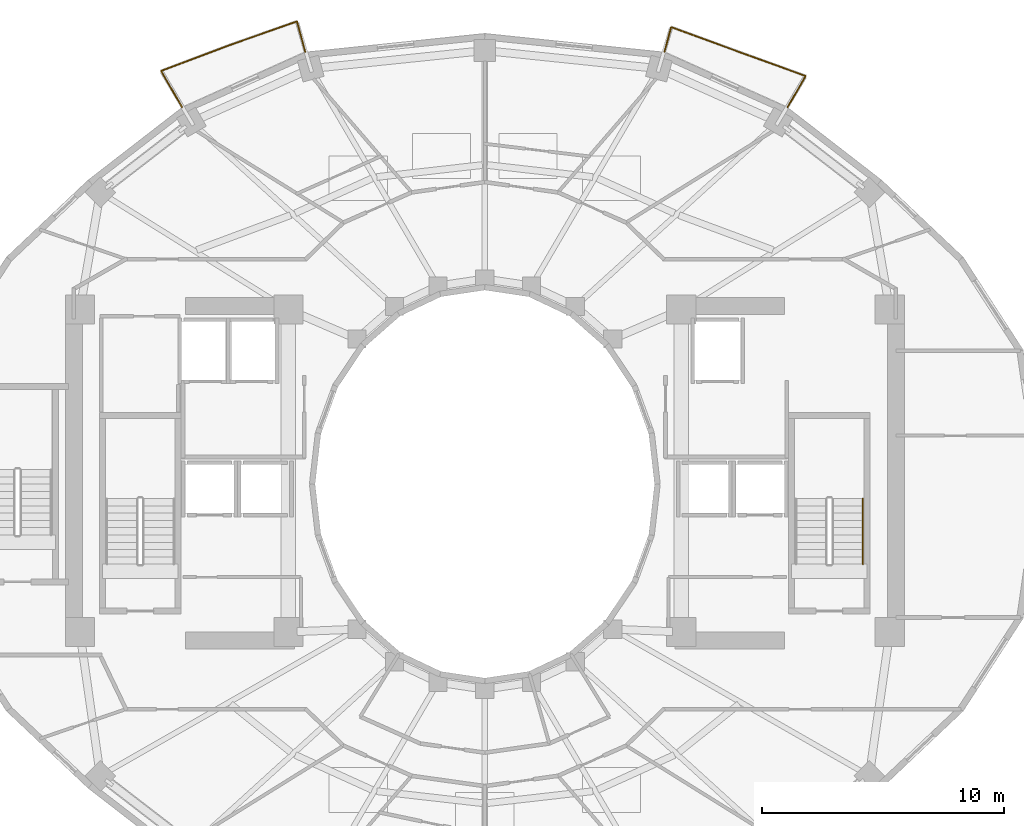
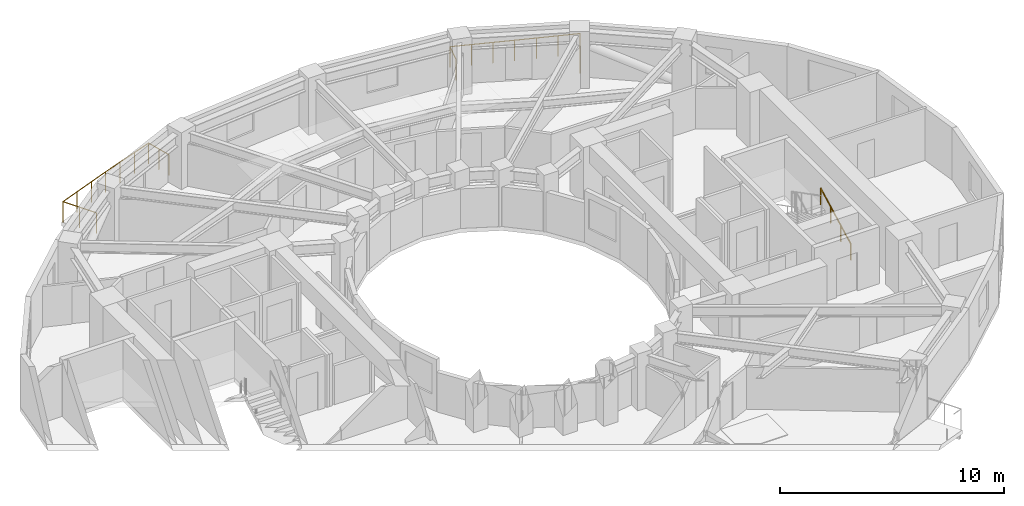
# One storey, part 10 of 10: 3 railings.
"""IFC4 building model written with IfcOpenShell, lengths in metres."""

from ifc_helpers import new_model, si_unit, direction, frame, origin, origin_2d, place, context, subcontext, project, spatial, circle, extrude, material, type_object, element, save


model = new_model("IFC4")

# Units and contexts
model_context = context("Model", 3, precision=1e-05, world=origin(), true_north=direction((0.0, 1.0)))
body_context = subcontext(model_context, "Body", "Model", "MODEL_VIEW")
ifc_project = project(units=[si_unit("LENGTHUNIT", "METRE"), si_unit("AREAUNIT", "SQUARE_METRE"), si_unit("VOLUMEUNIT", "CUBIC_METRE"), si_unit("PLANEANGLEUNIT", "RADIAN"), si_unit("MASSUNIT", "GRAM", prefix="KILO")], contexts=[model_context])

# Site, building, storey
site_placement = place(None, origin())
site = spatial("IfcSite", under=ifc_project, at=site_placement, CompositionType="ELEMENT")
building_placement = place(site_placement, origin())
building = spatial("IfcBuilding", under=site, at=building_placement, Name="Solvane Sanctuary Tower", CompositionType="ELEMENT")
storey_placement = place(building_placement, frame((0.0, 0.0, 146.699951171875)))
storey = spatial("IfcBuildingStorey", under=building, at=storey_placement, Name="L44", CompositionType="ELEMENT", Elevation=146.699951171875)

# Railings
ifc_material = material(Name="Architectural Stainless Steel 316", Category="steel")
railing_type_1 = type_object("IfcRailingType", Name="Railing GR-BALC-1150", PredefinedType="BALUSTRADE", material=ifc_material)
railing_1_placement = place(storey_placement, frame((44.489013671875, 38.5458984375, 0.0)))
element("IfcRailing", 1, at=railing_1_placement, inside=storey, type_object=railing_type_1, Name="L44 Wave Balcony Balustrade N1", PredefinedType="BALUSTRADE", context=body_context, shape_type="SweptSolid", body=[
    extrude(circle(Radius=0.02392578125, at=origin_2d()), frame((0.0, 0.0, 1.1259765625), z_axis=(0.500050045296, 0.865996508191, 0.0), x_axis=(-0.865996508191, 0.500050045296, 0.0)), (0.0, 0.0, 1.0), 1.483642578125),
    extrude(circle(Radius=0.02392578125, at=origin_2d()), frame((0.741943359375, 1.284912109375, 1.1259765625), z_axis=(-0.940480447831, 0.339847800122, 0.0), x_axis=(-0.339847800122, -0.940480447831, 0.0)), (0.0, 0.0, 1.0), 2.979736328125),
    extrude(circle(Radius=0.02392578125, at=origin_2d()), frame((-2.060546875, 2.297607421875, 1.1259765625), z_axis=(-0.938941980795, 0.344075510173, 0.0), x_axis=(-0.344075510173, -0.938941980795, 0.0)), (0.0, 0.0, 1.0), 2.92333984375),
    extrude(circle(Radius=0.02392578125, at=origin_2d()), frame((-4.805419921875, 3.303466796875, 1.1259765625), z_axis=(-0.258770762506, -0.965938762278, 0.0), x_axis=(0.965938762278, -0.258770762506, 0.0)), (0.0, 0.0, 1.0), 1.0556640625),
    extrude(circle(Radius=0.02099609375, at=origin_2d()), origin(), (0.0, 0.0, 1.0), 1.101806640625),
    extrude(circle(Radius=0.02099609375, at=origin_2d()), frame((0.37109375, 0.642578125, 0.0)), (0.0, 0.0, 1.0), 1.101806640625),
    extrude(circle(Radius=0.02099609375, at=origin_2d()), frame((0.741943359375, 1.284912109375, 0.0)), (0.0, 0.0, 1.0), 1.101806640625),
    extrude(circle(Radius=0.02099609375, at=origin_2d()), frame((-0.192138671875, 1.62255859375, 0.0)), (0.0, 0.0, 1.0), 1.101806640625),
    extrude(circle(Radius=0.02099609375, at=origin_2d()), frame((-1.12646484375, 1.9599609375, 0.0)), (0.0, 0.0, 1.0), 1.101806640625),
    extrude(circle(Radius=0.02099609375, at=origin_2d()), frame((-2.060546875, 2.297607421875, 0.0)), (0.0, 0.0, 1.0), 1.101806640625),
    extrude(circle(Radius=0.02099609375, at=origin_2d()), frame((-2.9755859375, 2.6328125, 0.0)), (0.0, 0.0, 1.0), 1.101806640625),
    extrude(circle(Radius=0.02099609375, at=origin_2d()), frame((-3.890380859375, 2.96826171875, 0.0)), (0.0, 0.0, 1.0), 1.101806640625),
    extrude(circle(Radius=0.02099609375, at=origin_2d()), frame((-4.805419921875, 3.303466796875, 0.0)), (0.0, 0.0, 1.0), 1.101806640625),
    extrude(circle(Radius=0.02099609375, at=origin_2d()), frame((-5.07861328125, 2.28369140625, 0.0)), (0.0, 0.0, 1.0), 1.101806640625),
])
railing_2_placement = place(storey_placement, frame((24.589599609375, 40.82958984375, 0.0)))
element("IfcRailing", 2, at=railing_2_placement, inside=storey, type_object=railing_type_1, Name="L44 Wave Balcony Balustrade N2", PredefinedType="BALUSTRADE", context=body_context, shape_type="SweptSolid", body=[
    extrude(circle(Radius=0.02392578125, at=origin_2d()), frame((0.0, 0.0, 1.1259765625), z_axis=(-0.258764326089, 0.965940486543, 0.0), x_axis=(-0.965940486543, -0.258764326089, 0.0)), (0.0, 0.0, 1.0), 1.29638671875),
    extrude(circle(Radius=0.02392578125, at=origin_2d()), frame((-0.33544921875, 1.252197265625, 1.1259765625), z_axis=(-0.943326752862, -0.331865390384, 0.0), x_axis=(0.331865390384, -0.943326752862, 0.0)), (0.0, 0.0, 1.0), 2.95654296875),
    extrude(circle(Radius=0.02392578125, at=origin_2d()), frame((-3.12451171875, 0.27099609375, 1.1259765625), z_axis=(-0.935767944552, -0.352616440271, 0.0), x_axis=(0.352616440271, -0.935767944552, 0.0)), (0.0, 0.0, 1.0), 3.009765625),
    extrude(circle(Radius=0.02392578125, at=origin_2d()), frame((-5.94091796875, -0.790283203125, 1.1259765625), z_axis=(0.500036993012, -0.866004044806, 0.0), x_axis=(0.866004044806, 0.500036993012, 0.0)), (0.0, 0.0, 1.0), 1.724365234375),
    extrude(circle(Radius=0.02099609375, at=origin_2d()), origin(), (0.0, 0.0, 1.0), 1.101806640625),
    extrude(circle(Radius=0.02099609375, at=origin_2d()), frame((-0.167724609375, 0.6259765625, 0.0)), (0.0, 0.0, 1.0), 1.101806640625),
    extrude(circle(Radius=0.02099609375, at=origin_2d()), frame((-0.33544921875, 1.252197265625, 0.0)), (0.0, 0.0, 1.0), 1.101806640625),
    extrude(circle(Radius=0.02099609375, at=origin_2d()), frame((-1.26513671875, 0.925048828125, 0.0)), (0.0, 0.0, 1.0), 1.101806640625),
    extrude(circle(Radius=0.02099609375, at=origin_2d()), frame((-2.19482421875, 0.59814453125, 0.0)), (0.0, 0.0, 1.0), 1.101806640625),
    extrude(circle(Radius=0.02099609375, at=origin_2d()), frame((-3.12451171875, 0.27099609375, 0.0)), (0.0, 0.0, 1.0), 1.101806640625),
    extrude(circle(Radius=0.02099609375, at=origin_2d()), frame((-4.063232421875, -0.082763671875, 0.0)), (0.0, 0.0, 1.0), 1.101806640625),
    extrude(circle(Radius=0.02099609375, at=origin_2d()), frame((-5.002197265625, -0.4365234375, 0.0)), (0.0, 0.0, 1.0), 1.101806640625),
    extrude(circle(Radius=0.02099609375, at=origin_2d()), frame((-5.94091796875, -0.790283203125, 0.0)), (0.0, 0.0, 1.0), 1.101806640625),
    extrude(circle(Radius=0.02099609375, at=origin_2d()), frame((-5.509765625, -1.537109375, 0.0)), (0.0, 0.0, 1.0), 1.101806640625),
    extrude(circle(Radius=0.02099609375, at=origin_2d()), frame((-5.07861328125, -2.28369140625, 0.0)), (0.0, 0.0, 1.0), 1.101806640625),
])
railing_type_2 = type_object("IfcRailingType", Name="Railing HR-STAIR-920", PredefinedType="HANDRAIL", material=ifc_material)
railing_3_placement = place(storey_placement, frame((47.590087890625, 19.699951171875, 0.155029296875)))
element("IfcRailing", 3, at=railing_3_placement, inside=storey, type_object=railing_type_2, Name="L44 ST-2 stair handrail 1", PredefinedType="HANDRAIL", context=body_context, shape_type="SweptSolid", body=[
    extrude(circle(Radius=0.02392578125, at=origin_2d()), frame((0.0, 0.0, 0.8759765625), z_axis=(0.0, 0.888419900624, 0.459031676658), x_axis=(-1.0, 0.0, 0.0)), (0.0, 0.0, 1.0), 3.0390625),
    extrude(circle(Radius=0.02099609375, at=origin_2d()), origin(), (0.0, 0.0, 1.0), 0.851806640625),
    extrude(circle(Radius=0.02099609375, at=origin_2d()), frame((0.0, 0.89990234375, 0.465087890625)), (0.0, 0.0, 1.0), 0.851806640625),
    extrude(circle(Radius=0.02099609375, at=origin_2d()), frame((0.0, 1.800048828125, 0.929931640625)), (0.0, 0.0, 1.0), 0.851806640625),
    extrude(circle(Radius=0.02099609375, at=origin_2d()), frame((0.0, 2.699951171875, 1.39501953125)), (0.0, 0.0, 1.0), 0.851806640625),
])

save(model, "model.ifc")
